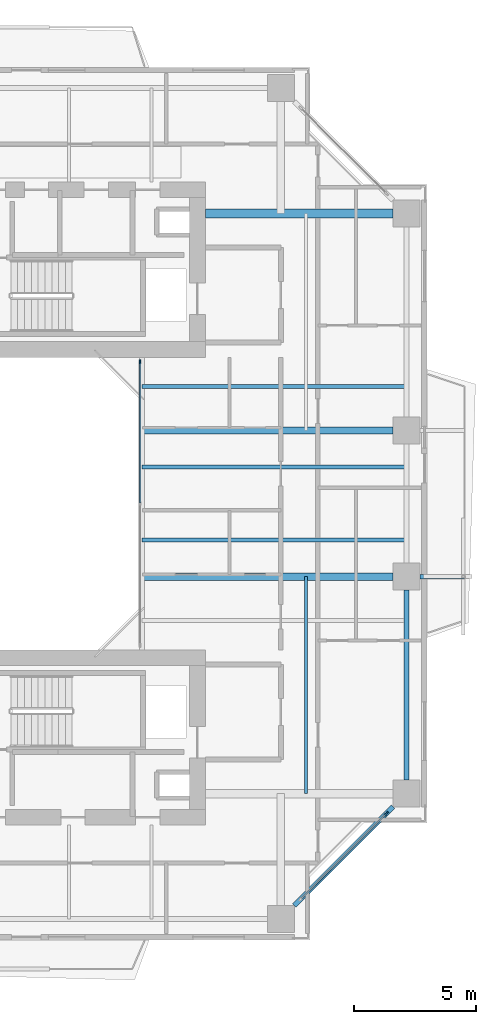
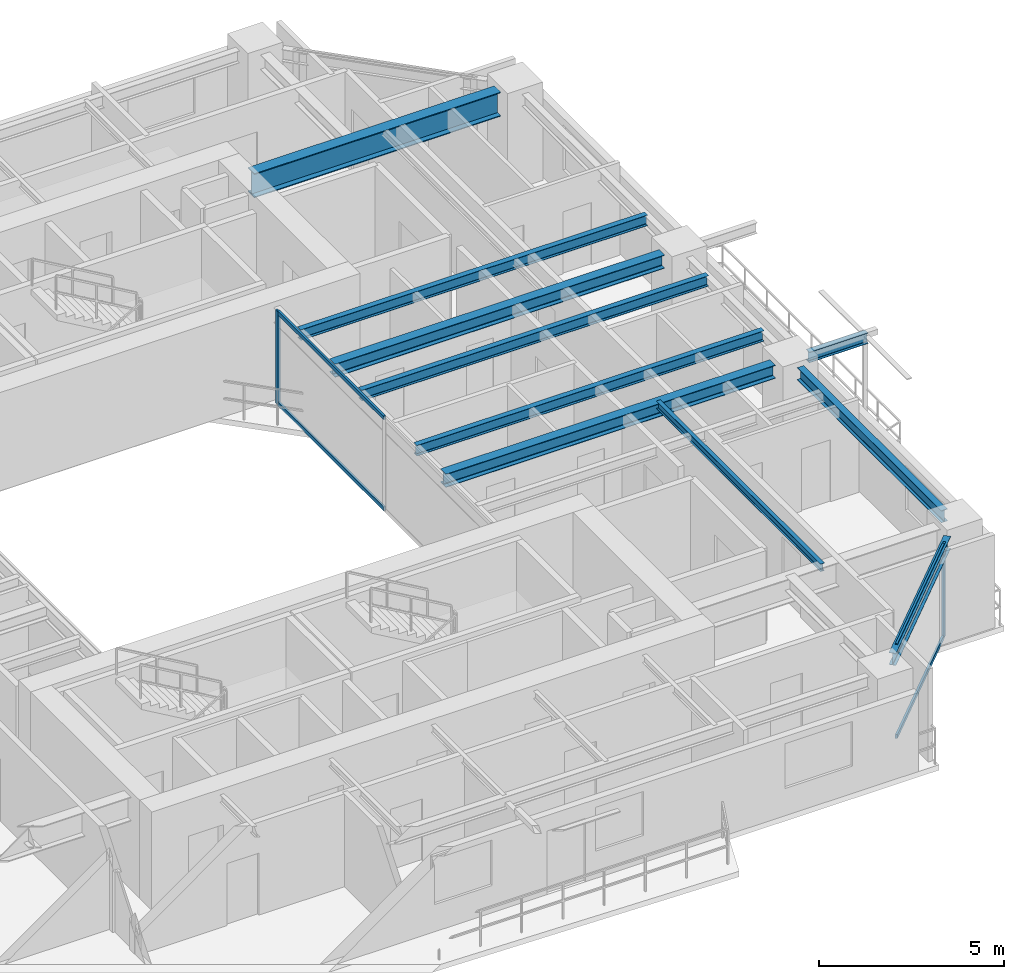
# One storey, part 6 of 17: 10 beams, 6 members, 2 elements without a shape of their own.
"""IFC4 building model written with IfcOpenShell, lengths in metres."""

from ifc_helpers import new_model, si_unit, direction, frame, origin, origin_2d, place, context, subcontext, project, spatial, rectangle, i_section, extrude, source, transform, mapped, material, layer, layer_set, material_profile, profile_set, type_object, element, aggregate, save


model = new_model("IFC4")

# Units and contexts
model_context = context("Model", 3, precision=1e-05, world=origin(), true_north=direction((0.0, 1.0)))
body_context = subcontext(model_context, "Body", "Model", "MODEL_VIEW")
ifc_project = project(units=[si_unit("LENGTHUNIT", "METRE"), si_unit("AREAUNIT", "SQUARE_METRE"), si_unit("VOLUMEUNIT", "CUBIC_METRE"), si_unit("PLANEANGLEUNIT", "RADIAN"), si_unit("MASSUNIT", "GRAM", prefix="KILO"), si_unit("THERMODYNAMICTEMPERATUREUNIT", "KELVIN"), si_unit("POWERUNIT", "WATT")], contexts=[model_context])

# Site, building, storey
site_placement = place(None, origin())
site = spatial("IfcSite", under=ifc_project, at=site_placement, CompositionType="ELEMENT")
building_placement = place(site_placement, origin())
building = spatial("IfcBuilding", under=site, at=building_placement, Name="Qiaomeng Ring Towers", CompositionType="ELEMENT")
storey_placement = place(building_placement, frame((0.0, 0.0, 116.5)))
storey = spatial("IfcBuildingStorey", under=building, at=storey_placement, Name="L33", CompositionType="ELEMENT", Elevation=116.5)

# Beams
ifc_material_1 = material(Name="Steel Q355B", Category="steel")
ifc_material_profile_1 = material_profile(ifc_material_1, i_section(OverallWidth=0.199951171875, OverallDepth=0.39990234375, WebThickness=0.008056640625, FlangeThickness=0.012939453125, FilletRadius=0.01611328125, at=origin_2d()), Name="HN 400x200x8x13")
ifc_profile_set_1 = profile_set([ifc_material_profile_1], Name="Steel Q355B")
beam_type_1 = type_object("IfcBeamType", Name="STR-BM-HN400", PredefinedType="SPANDREL", material=ifc_profile_set_1)
shared_shape_1 = source(origin(), body_context, "Body", "SweptSolid", [
    extrude(i_section(OverallWidth=0.199951171875, OverallDepth=0.39990234375, WebThickness=0.008056640625, FlangeThickness=0.012939453125, FilletRadius=0.01611328125, at=origin_2d()), origin(), (0.0, 0.0, 1.0), 5.729736328125),
])
beam_1_placement = place(storey_placement, frame((31.44921875, 6.499267578125, 2.8701171875), z_axis=(0.707106781187, 0.707106781187, 0.0), x_axis=(-0.707106781187, 0.707106781187, 0.0)))
element("IfcBeam", 1, at=beam_1_placement, inside=storey, type_object=beam_type_1, Name="L33 beam STR-SP-L33-T1-S2-E1", PredefinedType="SPANDREL", context=body_context, shape_type="MappedRepresentation", body=[
    mapped(shared_shape_1, transform((0.0, 0.0, 0.0), x_axis=(1.0, 0.0, 0.0), y_axis=(0.0, 1.0, 0.0), z_axis=(0.0, 0.0, 1.0), scale=1.0)),
])
shared_shape_2 = source(origin(), body_context, "Body", "SweptSolid", [
    extrude(i_section(OverallWidth=0.199951171875, OverallDepth=0.39990234375, WebThickness=0.008056640625, FlangeThickness=0.012939453125, FilletRadius=0.01611328125, at=origin_2d()), origin(), (0.0, 0.0, 1.0), 7.802001953125),
])
beam_2_placement = place(storey_placement, frame((36.050048828125, 11.64892578125, 2.8701171875), z_axis=(0.0, 1.0, 0.0), x_axis=(-1.0, 0.0, 0.0)))
element("IfcBeam", 2, at=beam_2_placement, inside=storey, type_object=beam_type_1, Name="L33 beam STR-SP-L33-T1-E1-E2", PredefinedType="SPANDREL", context=body_context, shape_type="MappedRepresentation", body=[
    mapped(shared_shape_2, transform((0.0, 0.0, 0.0), x_axis=(1.0, 0.0, 0.0), y_axis=(0.0, 1.0, 0.0), z_axis=(0.0, 0.0, 1.0), scale=1.0)),
])
ifc_material_2 = material(Name="Steel Q390GJC", Category="steel")
ifc_material_profile_2 = material_profile(ifc_material_2, i_section(OverallWidth=0.35009765625, OverallDepth=0.800048828125, WebThickness=0.01611328125, FlangeThickness=0.028076171875, at=origin_2d()), Name="WH 800x350x16x28")
ifc_profile_set_2 = profile_set([ifc_material_profile_2], Name="Steel Q390GJC")
beam_type_2 = type_object("IfcBeamType", Name="STR-BM-WH800", PredefinedType="BEAM", material=ifc_profile_set_2)
shared_shape_3 = source(origin(), body_context, "Body", "SweptSolid", [
    extrude(i_section(OverallWidth=0.35009765625, OverallDepth=0.800048828125, WebThickness=0.01611328125, FlangeThickness=0.028076171875, at=origin_2d()), origin(), (0.0, 0.0, 1.0), 7.700927734375),
])
beam_3_placement = place(storey_placement, frame((27.800048828125, 34.89990234375, 2.669921875), z_axis=(1.0, 0.0, 0.0), x_axis=(0.0, 1.0, 0.0)))
element("IfcBeam", 3, at=beam_3_placement, inside=storey, type_object=beam_type_2, Name="L33 beam STR-BM-L33-T1-RAD-E4", PredefinedType="BEAM", context=body_context, shape_type="MappedRepresentation", body=[
    mapped(shared_shape_3, transform((0.0, 0.0, 0.0), x_axis=(1.0, 0.0, 0.0), y_axis=(0.0, 1.0, 0.0), z_axis=(0.0, 0.0, 1.0), scale=1.0)),
])
ifc_material_profile_3 = material_profile(ifc_material_1, i_section(OverallWidth=0.300048828125, OverallDepth=0.43994140625, WebThickness=0.010986328125, FlangeThickness=0.01806640625, FilletRadius=0.02392578125, at=origin_2d()), Name="HM 440x300x11x18")
ifc_profile_set_3 = profile_set([ifc_material_profile_3], Name="Steel Q355B")
beam_type_3 = type_object("IfcBeamType", Name="STR-BM-HM440", PredefinedType="BEAM", material=ifc_profile_set_3)
shared_shape_4 = source(origin(), body_context, "Body", "SweptSolid", [
    extrude(i_section(OverallWidth=0.300048828125, OverallDepth=0.43994140625, WebThickness=0.010986328125, FlangeThickness=0.01806640625, FilletRadius=0.02392578125, at=origin_2d()), origin(), (0.0, 0.0, 1.0), 10.301025390625),
])
for number, where, z_axis, x_axis, name in (
    (4, (25.199951171875, 20.0, 2.85009765625), (1.0, 0.0, 0.0), (0.0, 1.0, 0.0), "L33 beam STR-BM-L33-T1-RAD-E2"),
    (5, (25.199951171875, 26.0, 2.85009765625), (1.0, 0.0, 0.0), (0.0, 1.0, 0.0), "L33 beam STR-BM-L33-T1-RAD-E3"),
):
    element("IfcBeam", number, at=place(storey_placement, frame(where, z_axis=z_axis, x_axis=x_axis)), inside=storey, type_object=beam_type_3, Name=name, PredefinedType="BEAM", context=body_context, shape_type="MappedRepresentation", body=[
        mapped(shared_shape_4, transform((0.0, 0.0, 0.0), x_axis=(1.0, 0.0, 0.0), y_axis=(0.0, 1.0, 0.0), z_axis=(0.0, 0.0, 1.0), scale=1.0)),
    ])
ifc_material_profile_4 = material_profile(ifc_material_1, i_section(OverallWidth=0.175048828125, OverallDepth=0.35009765625, WebThickness=0.007080078125, FlangeThickness=0.010986328125, FilletRadius=0.013916015625, at=origin_2d()), Name="HN 350x175x7x11")
ifc_profile_set_4 = profile_set([ifc_material_profile_4], Name="Steel Q355B")
beam_type_4 = type_object("IfcBeamType", Name="STR-BM-HN350", PredefinedType="JOIST", material=ifc_profile_set_4)
shared_shape_5 = source(origin(), body_context, "Body", "SweptSolid", [
    extrude(i_section(OverallWidth=0.175048828125, OverallDepth=0.35009765625, WebThickness=0.007080078125, FlangeThickness=0.010986328125, FilletRadius=0.013916015625, at=origin_2d()), origin(), (0.0, 0.0, 1.0), 10.85009765625),
])
for number, where, z_axis, x_axis, name in (
    (6, (25.199951171875, 21.5, 2.89501953125), (1.0, 0.0, 0.0), (0.0, 1.0, 0.0), "L33 beam STR-JST-L33-T1E-2"),
    (7, (25.199951171875, 24.5, 2.89501953125), (1.0, 0.0, 0.0), (0.0, 1.0, 0.0), "L33 beam STR-JST-L33-T1E-3"),
    (8, (25.199951171875, 27.800048828125, 2.89501953125), (1.0, 0.0, 0.0), (0.0, 1.0, 0.0), "L33 beam STR-JST-L33-T1E-4"),
):
    element("IfcBeam", number, at=place(storey_placement, frame(where, z_axis=z_axis, x_axis=x_axis)), inside=storey, type_object=beam_type_4, Name=name, PredefinedType="JOIST", context=body_context, shape_type="MappedRepresentation", body=[
        mapped(shared_shape_5, transform((0.0, 0.0, 0.0), x_axis=(1.0, 0.0, 0.0), y_axis=(0.0, 1.0, 0.0), z_axis=(0.0, 0.0, 1.0), scale=1.0)),
    ])
ifc_material_profile_5 = material_profile(ifc_material_1, i_section(OverallWidth=0.125, OverallDepth=0.25, WebThickness=0.006103515625, FlangeThickness=0.009033203125, FilletRadius=0.011962890625, at=origin_2d()), Name="HN 250x125x6x9")
ifc_profile_set_5 = profile_set([ifc_material_profile_5], Name="Steel Q355B")
beam_type_5 = type_object("IfcBeamType", Name="STR-BM-HN250", PredefinedType="JOIST", material=ifc_profile_set_5)
shared_shape_6 = source(origin(), body_context, "Body", "SweptSolid", [
    extrude(i_section(OverallWidth=0.125, OverallDepth=0.25, WebThickness=0.006103515625, FlangeThickness=0.009033203125, FilletRadius=0.011962890625, at=origin_2d()), origin(), (0.0, 0.0, 1.0), 8.89990234375),
])
beam_4_placement = place(storey_placement, frame((31.925048828125, 11.10009765625, 2.945068359375), z_axis=(0.0, 1.0, 0.0), x_axis=(-1.0, 0.0, 0.0)))
element("IfcBeam", 9, at=beam_4_placement, inside=storey, type_object=beam_type_5, Name="L33 beam STR-JST-L33-T1C-ES", PredefinedType="JOIST", context=body_context, shape_type="MappedRepresentation", body=[
    mapped(shared_shape_6, transform((0.0, 0.0, 0.0), x_axis=(1.0, 0.0, 0.0), y_axis=(0.0, 1.0, 0.0), z_axis=(0.0, 0.0, 1.0), scale=1.0)),
])
shared_shape_7 = source(origin(), body_context, "Body", "SweptSolid", [
    extrude(i_section(OverallWidth=0.175048828125, OverallDepth=0.35009765625, WebThickness=0.007080078125, FlangeThickness=0.010986328125, FilletRadius=0.013916015625, at=origin_2d()), origin(), (0.0, 0.0, 1.0), 1.8408203125),
])
beam_5_placement = place(storey_placement, frame((36.59912109375, 20.0, 2.89501953125), z_axis=(1.0, 0.0, 0.0), x_axis=(0.0, 1.0, 0.0)))
element("IfcBeam", 10, at=beam_5_placement, inside=storey, type_object=beam_type_4, Name="L33 beam STR-BALBM-L33-E2", PredefinedType="JOIST", context=body_context, shape_type="MappedRepresentation", body=[
    mapped(shared_shape_7, transform((0.0, 0.0, 0.0), x_axis=(1.0, 0.0, 0.0), y_axis=(0.0, 1.0, 0.0), z_axis=(0.0, 0.0, 1.0), scale=1.0)),
])

# Curtain wall, members
ifc_material_3 = material(Name="Fluorocarbon dark-grey aluminium", Category="aluminium")
ifc_layer_1 = layer(ifc_material_3, 0.139892578125, Name="Fluorocarbon dark-grey aluminium")
ifc_layer_set_1 = layer_set([ifc_layer_1], Name="Fluorocarbon dark-grey aluminium")
curtain_wall_type_1 = type_object("IfcCurtainWallType", Name="ARC-CW-4", PredefinedType="NOTDEFINED", material=ifc_layer_set_1)
curtain_wall_1_placement = place(storey_placement, origin())
curtain_wall_1 = element("IfcCurtainWall", 11, at=curtain_wall_1_placement, inside=storey, type_object=curtain_wall_type_1, Name="L33 Curtain Wall CW4", PredefinedType="NOTDEFINED")
ifc_material_profile_6 = material_profile(ifc_material_3, rectangle(XDim=0.06494140625, YDim=0.159912109375, at=origin_2d()), Name="ALU MULL 65x160")
ifc_profile_set_6 = profile_set([ifc_material_profile_6], Name="Fluorocarbon dark-grey aluminium")
member_type_1 = type_object("IfcMemberType", Name="ARC-CWM-140", PredefinedType="MULLION", material=ifc_profile_set_6)
shared_shape_8 = source(origin(), body_context, "Body", "SweptSolid", [
    extrude(rectangle(XDim=0.06494140625, YDim=0.159912109375, at=origin_2d()), origin(), (0.0, 0.0, 1.0), 3.070068359375),
])
member_1_placement = place(storey_placement, frame((25.1201171875, 28.8173828125, 0.0), z_axis=(0.0, 0.0, 1.0), x_axis=(-1.0, 0.0, 0.0)))
member_1 = element("IfcMember", 12, at=member_1_placement, type_object=member_type_1, Name="CW4 mullion 3", PredefinedType="MULLION", context=body_context, shape_type="MappedRepresentation", body=[
    mapped(shared_shape_8, transform((0.0, 0.0, 0.0), x_axis=(1.0, 0.0, 0.0), y_axis=(0.0, 1.0, 0.0), z_axis=(0.0, 0.0, 1.0), scale=1.0)),
])
ifc_material_profile_7 = material_profile(ifc_material_3, rectangle(XDim=0.06494140625, YDim=0.1298828125, at=origin_2d()), Name="ALU TRAN 65x130")
ifc_profile_set_7 = profile_set([ifc_material_profile_7], Name="Fluorocarbon dark-grey aluminium")
member_type_2 = type_object("IfcMemberType", Name="ARC-CWT-120", PredefinedType="USERDEFINED", material=ifc_profile_set_7)
shared_shape_9 = source(origin(), body_context, "Body", "SweptSolid", [
    extrude(rectangle(XDim=0.06494140625, YDim=0.1298828125, at=origin_2d()), origin(), (0.0, 0.0, 1.0), 5.75244140625),
])
member_2_placement = place(storey_placement, frame((25.1201171875, 23.032470703125, 0.032470703125), z_axis=(0.0, 1.0, 0.0), x_axis=(-1.0, 0.0, 0.0)))
member_2 = element("IfcMember", 13, at=member_2_placement, type_object=member_type_2, Name="CW4 transom 2.1", ObjectType="TRANSOM", PredefinedType="USERDEFINED", context=body_context, shape_type="MappedRepresentation", body=[
    mapped(shared_shape_9, transform((0.0, 0.0, 0.0), x_axis=(1.0, 0.0, 0.0), y_axis=(0.0, 1.0, 0.0), z_axis=(0.0, 0.0, 1.0), scale=1.0)),
])
member_3_placement = place(storey_placement, frame((25.1201171875, 23.032470703125, 3.03759765625), z_axis=(0.0, 1.0, 0.0), x_axis=(-1.0, 0.0, 0.0)))
member_3 = element("IfcMember", 14, at=member_3_placement, type_object=member_type_2, Name="CW4 transom 2.2", ObjectType="TRANSOM", PredefinedType="USERDEFINED", context=body_context, shape_type="MappedRepresentation", body=[
    mapped(shared_shape_9, transform((0.0, 0.0, 0.0), x_axis=(1.0, 0.0, 0.0), y_axis=(0.0, 1.0, 0.0), z_axis=(0.0, 0.0, 1.0), scale=1.0)),
])
aggregate(curtain_wall_1, [member_1, member_2, member_3])

ifc_layer_2 = layer(ifc_material_3, 0.14990234375, Name="Fluorocarbon dark-grey aluminium")
ifc_layer_set_2 = layer_set([ifc_layer_2], Name="Fluorocarbon dark-grey aluminium")
curtain_wall_type_2 = type_object("IfcCurtainWallType", Name="ARC-CW-3", PredefinedType="NOTDEFINED", material=ifc_layer_set_2)
curtain_wall_2_placement = place(storey_placement, origin())
curtain_wall_2 = element("IfcCurtainWall", 15, at=curtain_wall_2_placement, inside=storey, type_object=curtain_wall_type_2, Name="L33 Curtain Wall CW3", PredefinedType="NOTDEFINED")
ifc_material_profile_8 = material_profile(ifc_material_3, rectangle(XDim=0.070068359375, YDim=0.179931640625, at=origin_2d()), Name="ALU MULL 70x180")
ifc_profile_set_8 = profile_set([ifc_material_profile_8], Name="Fluorocarbon dark-grey aluminium")
member_type_3 = type_object("IfcMemberType", Name="ARC-CWM-160", PredefinedType="MULLION", material=ifc_profile_set_8)
shared_shape_10 = source(origin(), body_context, "Body", "SweptSolid", [
    extrude(rectangle(XDim=0.070068359375, YDim=0.179931640625, at=origin_2d()), origin(), (0.0, 0.0, 1.0), 3.070068359375),
])
member_4_placement = place(storey_placement, frame((35.2353515625, 10.28515625, 0.0), z_axis=(0.0, 0.0, 1.0), x_axis=(-0.707106781187, 0.707106781187, 0.0)))
member_4 = element("IfcMember", 16, at=member_4_placement, type_object=member_type_3, Name="CW3 mullion 2", PredefinedType="MULLION", context=body_context, shape_type="MappedRepresentation", body=[
    mapped(shared_shape_10, transform((0.0, 0.0, 0.0), x_axis=(1.0, 0.0, 0.0), y_axis=(0.0, 1.0, 0.0), z_axis=(0.0, 0.0, 1.0), scale=1.0)),
])
shared_shape_11 = source(origin(), body_context, "Body", "SweptSolid", [
    extrude(rectangle(XDim=0.06494140625, YDim=0.1298828125, at=origin_2d()), origin(), (0.0, 0.0, 1.0), 4.90869140625),
])
member_5_placement = place(storey_placement, frame((31.739501953125, 6.78955078125, 0.032470703125), z_axis=(0.707106781187, 0.707106781187, 0.0), x_axis=(-0.707106781187, 0.707106781187, 0.0)))
member_5 = element("IfcMember", 17, at=member_5_placement, type_object=member_type_2, Name="CW3 transom 1.1", ObjectType="TRANSOM", PredefinedType="USERDEFINED", context=body_context, shape_type="MappedRepresentation", body=[
    mapped(shared_shape_11, transform((0.0, 0.0, 0.0), x_axis=(1.0, 0.0, 0.0), y_axis=(0.0, 1.0, 0.0), z_axis=(0.0, 0.0, 1.0), scale=1.0)),
])
member_6_placement = place(storey_placement, frame((31.739501953125, 6.78955078125, 3.03759765625), z_axis=(0.707106781187, 0.707106781187, 0.0), x_axis=(-0.707106781187, 0.707106781187, 0.0)))
member_6 = element("IfcMember", 18, at=member_6_placement, type_object=member_type_2, Name="CW3 transom 1.2", ObjectType="TRANSOM", PredefinedType="USERDEFINED", context=body_context, shape_type="MappedRepresentation", body=[
    mapped(shared_shape_11, transform((0.0, 0.0, 0.0), x_axis=(1.0, 0.0, 0.0), y_axis=(0.0, 1.0, 0.0), z_axis=(0.0, 0.0, 1.0), scale=1.0)),
])
aggregate(curtain_wall_2, [member_4, member_5, member_6])

save(model, "model.ifc")
